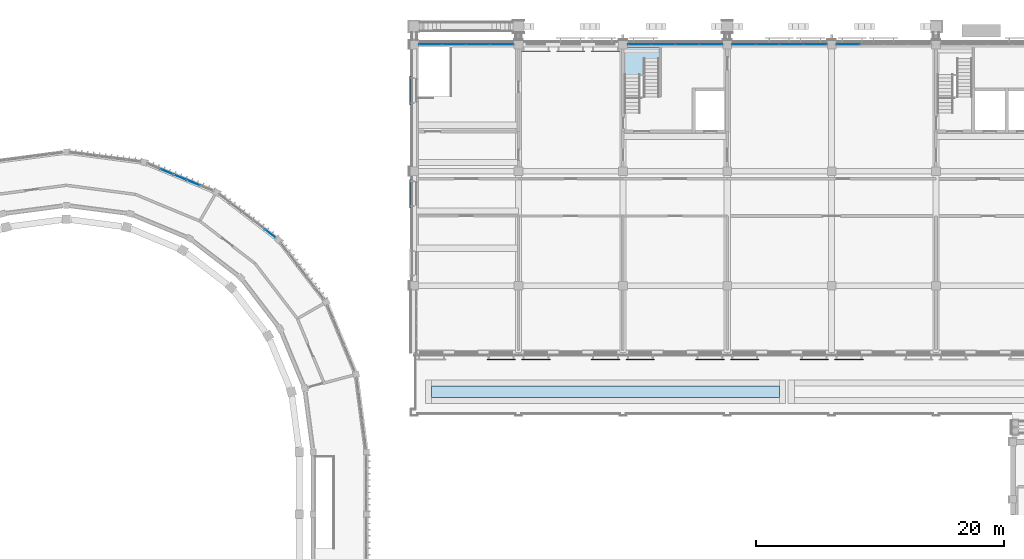
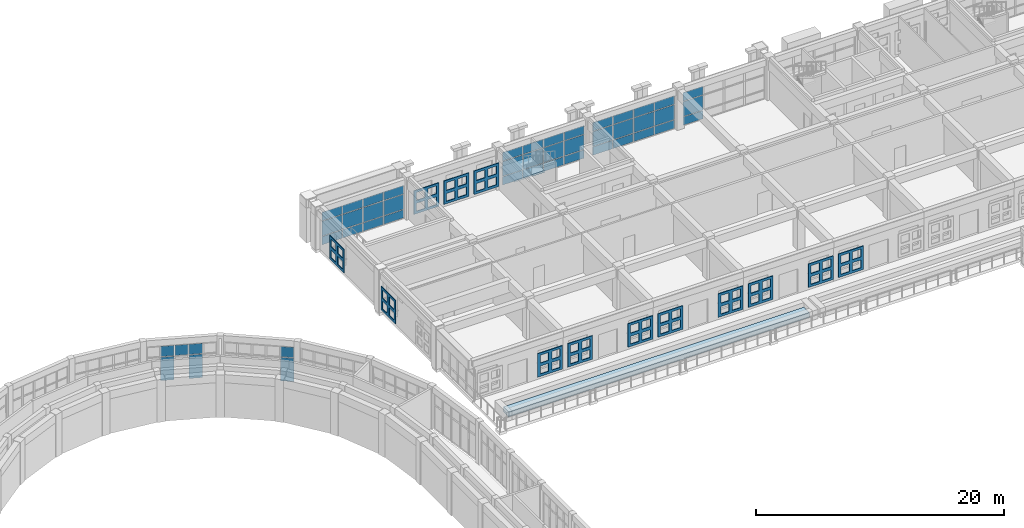
# One storey, part 48 of 99: 59 plates, 2 slabs, 7 elements without a shape of their own.
"""IFC4 building model written with IfcOpenShell, lengths in metres."""

from ifc_helpers import new_model, si_unit, direction, frame, origin, origin_2d, place, context, subcontext, project, spatial, polyline, rectangle, outline, extrude, material, layer, layer_set, material_profile, profile_set, type_object, element, aggregate, save


model = new_model("IFC4")

# Units and contexts
model_context = context("Model", 3, precision=1e-05, world=origin(), true_north=direction((0.0, 1.0)))
body_context = subcontext(model_context, "Body", "Model", "MODEL_VIEW")
ifc_project = project(units=[si_unit("LENGTHUNIT", "METRE"), si_unit("AREAUNIT", "SQUARE_METRE"), si_unit("VOLUMEUNIT", "CUBIC_METRE"), si_unit("PLANEANGLEUNIT", "RADIAN"), si_unit("MASSUNIT", "GRAM", prefix="KILO")], contexts=[model_context])

# Site, building, storey
site_placement = place(None, origin())
site = spatial("IfcSite", under=ifc_project, at=site_placement, CompositionType="ELEMENT")
building_placement = place(site_placement, origin())
building = spatial("IfcBuilding", under=site, at=building_placement, Name="Wasatch Bagh Community Centre", CompositionType="ELEMENT")
storey_placement = place(building_placement, frame((0.0, 0.0, 4.199951171875)))
storey = spatial("IfcBuildingStorey", under=building, at=storey_placement, Name="L01", CompositionType="ELEMENT", Elevation=4.199951171875)

# Curtain wall, plates
ifc_material_1 = material(Name="Aluminium curtain wall frame with low-iron insulated glass", Category="aluminium")
ifc_layer_1 = layer(ifc_material_1, 0.14990234375)
ifc_layer_set_1 = layer_set([ifc_layer_1], Name="Aluminium curtain wall frame with low-iron insulated glass")
curtain_wall_type_1 = type_object("IfcCurtainWallType", Name="Drum curtain wall DR-CW2", PredefinedType="NOTDEFINED", material=ifc_layer_set_1)
curtain_wall_1_placement = place(storey_placement, origin())
curtain_wall_1 = element("IfcCurtainWall", 1, at=curtain_wall_1_placement, inside=storey, type_object=curtain_wall_type_1, Name="Curtain wall DR-CW2 22", PredefinedType="NOTDEFINED")
ifc_material_2 = material(Name="Low-iron insulated glass", Category="glass")
ifc_layer_2 = layer(ifc_material_2, 0.028076171875)
ifc_layer_set_2 = layer_set([ifc_layer_2], Name="Low-iron insulated glass")
plate_type_1 = type_object("IfcPlateType", Name="Drum glass panel DR-CW2", PredefinedType="CURTAIN_PANEL", material=ifc_layer_set_2)
plate_1_placement = place(storey_placement, frame((52.39794921875, 82.597412109375, 0.06005859375), z_axis=(0.0, 0.0, 1.0), x_axis=(-0.793353340196, 0.608761429133, 0.0)))
plate_1 = element("IfcPlate", 2, at=plate_1_placement, type_object=plate_type_1, Name="DR-CW2 panel 1.1", PredefinedType="CURTAIN_PANEL", context=body_context, shape_type="SweptSolid", body=[
    extrude(rectangle(XDim=1.06591796875, YDim=0.028076171875, at=origin_2d()), origin(), (0.0, 0.0, 1.0), 2.31005859375),
])
plate_2_placement = place(storey_placement, frame((52.39794921875, 82.597412109375, 2.43017578125), z_axis=(0.0, 0.0, 1.0), x_axis=(-0.793353340196, 0.608761429133, 0.0)))
plate_2 = element("IfcPlate", 3, at=plate_2_placement, type_object=plate_type_1, Name="DR-CW2 panel 1.2", PredefinedType="CURTAIN_PANEL", context=body_context, shape_type="SweptSolid", body=[
    extrude(rectangle(XDim=1.06591796875, YDim=0.028076171875, at=origin_2d()), origin(), (0.0, 0.0, 1.0), 1.010009765625),
])
aggregate(curtain_wall_1, [plate_1, plate_2])

curtain_wall_2_placement = place(storey_placement, origin())
curtain_wall_2 = element("IfcCurtainWall", 4, at=curtain_wall_2_placement, inside=storey, type_object=curtain_wall_type_1, Name="Curtain wall DR-CW2 23", PredefinedType="NOTDEFINED")
plate_3_placement = place(storey_placement, frame((46.230712890625, 86.678466796875, 0.06005859375), z_axis=(0.0, 0.0, 1.0), x_axis=(-0.923879532451, 0.38268343251, 0.0)))
plate_3 = element("IfcPlate", 5, at=plate_3_placement, type_object=plate_type_1, Name="DR-CW2 panel 2.1", PredefinedType="CURTAIN_PANEL", context=body_context, shape_type="SweptSolid", body=[
    extrude(rectangle(XDim=1.095947265625, YDim=0.028076171875, at=origin_2d()), origin(), (0.0, 0.0, 1.0), 2.31005859375),
])
plate_4_placement = place(storey_placement, frame((46.230712890625, 86.678466796875, 2.43017578125), z_axis=(0.0, 0.0, 1.0), x_axis=(-0.923879532451, 0.38268343251, 0.0)))
plate_4 = element("IfcPlate", 6, at=plate_4_placement, type_object=plate_type_1, Name="DR-CW2 panel 2.2", PredefinedType="CURTAIN_PANEL", context=body_context, shape_type="SweptSolid", body=[
    extrude(rectangle(XDim=1.095947265625, YDim=0.028076171875, at=origin_2d()), origin(), (0.0, 0.0, 1.0), 1.010009765625),
])
plate_5_placement = place(storey_placement, frame((45.162841796875, 87.120849609375, 2.43017578125), z_axis=(0.0, 0.0, 1.0), x_axis=(-0.923879532451, 0.38268343251, 0.0)))
plate_5 = element("IfcPlate", 7, at=plate_5_placement, type_object=plate_type_1, Name="DR-CW2 panel 3.2", PredefinedType="CURTAIN_PANEL", context=body_context, shape_type="SweptSolid", body=[
    extrude(rectangle(XDim=1.095947265625, YDim=0.028076171875, at=origin_2d()), origin(), (0.0, 0.0, 1.0), 1.010009765625),
])
plate_6_placement = place(storey_placement, frame((44.094970703125, 87.563232421875, 0.06005859375), z_axis=(0.0, 0.0, 1.0), x_axis=(-0.923879532451, 0.38268343251, 0.0)))
plate_6 = element("IfcPlate", 8, at=plate_6_placement, type_object=plate_type_1, Name="DR-CW2 panel 4.1", PredefinedType="CURTAIN_PANEL", context=body_context, shape_type="SweptSolid", body=[
    extrude(rectangle(XDim=1.095947265625, YDim=0.028076171875, at=origin_2d()), origin(), (0.0, 0.0, 1.0), 2.31005859375),
])
plate_7_placement = place(storey_placement, frame((44.094970703125, 87.563232421875, 2.43017578125), z_axis=(0.0, 0.0, 1.0), x_axis=(-0.923879532451, 0.38268343251, 0.0)))
plate_7 = element("IfcPlate", 9, at=plate_7_placement, type_object=plate_type_1, Name="DR-CW2 panel 4.2", PredefinedType="CURTAIN_PANEL", context=body_context, shape_type="SweptSolid", body=[
    extrude(rectangle(XDim=1.095947265625, YDim=0.028076171875, at=origin_2d()), origin(), (0.0, 0.0, 1.0), 1.010009765625),
])
aggregate(curtain_wall_2, [plate_3, plate_4, plate_5, plate_6, plate_7])

ifc_material_3 = material(Name="Aluminium curtain wall frame with low-iron glass", Category="aluminium")
ifc_layer_3 = layer(ifc_material_3, 0.10009765625)
ifc_layer_set_3 = layer_set([ifc_layer_3], Name="Aluminium curtain wall frame with low-iron glass")
curtain_wall_type_2 = type_object("IfcCurtainWallType", Name="LW curtain wall 100", PredefinedType="NOTDEFINED", material=ifc_layer_set_3)
curtain_wall_3_placement = place(storey_placement, origin())
curtain_wall_3 = element("IfcCurtainWall", 10, at=curtain_wall_3_placement, inside=storey, type_object=curtain_wall_type_2, Name="Curtain wall 01.01", PredefinedType="NOTDEFINED")
ifc_layer_4 = layer(ifc_material_2, 0.028076171875)
ifc_layer_set_4 = layer_set([ifc_layer_4], Name="Low-iron insulated glass")
plate_type_2 = type_object("IfcPlateType", Name="LW curtain wall panel 28", PredefinedType="CURTAIN_PANEL", material=ifc_layer_set_4)
plate_8_placement = place(storey_placement, frame((65.327392578125, 97.800048828125, 0.06005859375), z_axis=(0.0, 0.0, 1.0), x_axis=(1.0, 0.0, 0.0)))
plate_8 = element("IfcPlate", 11, at=plate_8_placement, type_object=plate_type_2, Name="LW-CW1 panel 1.1", PredefinedType="CURTAIN_PANEL", context=body_context, shape_type="SweptSolid", body=[
    extrude(rectangle(XDim=1.8349609375, YDim=0.028076171875, at=origin_2d()), origin(), (0.0, 0.0, 1.0), 0.81005859375),
])
plate_9_placement = place(storey_placement, frame((65.327392578125, 97.800048828125, 0.93017578125), z_axis=(0.0, 0.0, 1.0), x_axis=(1.0, 0.0, 0.0)))
plate_9 = element("IfcPlate", 12, at=plate_9_placement, type_object=plate_type_2, Name="LW-CW1 panel 1.2", PredefinedType="CURTAIN_PANEL", context=body_context, shape_type="SweptSolid", body=[
    extrude(rectangle(XDim=1.8349609375, YDim=0.028076171875, at=origin_2d()), origin(), (0.0, 0.0, 1.0), 1.43994140625),
])
plate_10_placement = place(storey_placement, frame((65.327392578125, 97.800048828125, 2.429931640625), z_axis=(0.0, 0.0, 1.0), x_axis=(1.0, 0.0, 0.0)))
plate_10 = element("IfcPlate", 13, at=plate_10_placement, type_object=plate_type_2, Name="LW-CW1 panel 1.3", PredefinedType="CURTAIN_PANEL", context=body_context, shape_type="SweptSolid", body=[
    extrude(rectangle(XDim=1.8349609375, YDim=0.028076171875, at=origin_2d()), origin(), (0.0, 0.0, 1.0), 0.830078125),
])
plate_11_placement = place(storey_placement, frame((67.237548828125, 97.800048828125, 0.06005859375), z_axis=(0.0, 0.0, 1.0), x_axis=(1.0, 0.0, 0.0)))
plate_11 = element("IfcPlate", 14, at=plate_11_placement, type_object=plate_type_2, Name="LW-CW1 panel 2.1", PredefinedType="CURTAIN_PANEL", context=body_context, shape_type="SweptSolid", body=[
    extrude(rectangle(XDim=1.864990234375, YDim=0.028076171875, at=origin_2d()), origin(), (0.0, 0.0, 1.0), 0.81005859375),
])
plate_12_placement = place(storey_placement, frame((67.237548828125, 97.800048828125, 0.93017578125), z_axis=(0.0, 0.0, 1.0), x_axis=(1.0, 0.0, 0.0)))
plate_12 = element("IfcPlate", 15, at=plate_12_placement, type_object=plate_type_2, Name="LW-CW1 panel 2.2", PredefinedType="CURTAIN_PANEL", context=body_context, shape_type="SweptSolid", body=[
    extrude(rectangle(XDim=1.864990234375, YDim=0.028076171875, at=origin_2d()), origin(), (0.0, 0.0, 1.0), 1.43994140625),
])
plate_13_placement = place(storey_placement, frame((67.237548828125, 97.800048828125, 2.429931640625), z_axis=(0.0, 0.0, 1.0), x_axis=(1.0, 0.0, 0.0)))
plate_13 = element("IfcPlate", 16, at=plate_13_placement, type_object=plate_type_2, Name="LW-CW1 panel 2.3", PredefinedType="CURTAIN_PANEL", context=body_context, shape_type="SweptSolid", body=[
    extrude(rectangle(XDim=1.864990234375, YDim=0.028076171875, at=origin_2d()), origin(), (0.0, 0.0, 1.0), 0.830078125),
])
plate_14_placement = place(storey_placement, frame((69.16259765625, 97.800048828125, 0.06005859375), z_axis=(0.0, 0.0, 1.0), x_axis=(1.0, 0.0, 0.0)))
plate_14 = element("IfcPlate", 17, at=plate_14_placement, type_object=plate_type_2, Name="LW-CW1 panel 3.1", PredefinedType="CURTAIN_PANEL", context=body_context, shape_type="SweptSolid", body=[
    extrude(rectangle(XDim=1.864990234375, YDim=0.028076171875, at=origin_2d()), origin(), (0.0, 0.0, 1.0), 0.81005859375),
])
plate_15_placement = place(storey_placement, frame((69.16259765625, 97.800048828125, 0.93017578125), z_axis=(0.0, 0.0, 1.0), x_axis=(1.0, 0.0, 0.0)))
plate_15 = element("IfcPlate", 18, at=plate_15_placement, type_object=plate_type_2, Name="LW-CW1 panel 3.2", PredefinedType="CURTAIN_PANEL", context=body_context, shape_type="SweptSolid", body=[
    extrude(rectangle(XDim=1.864990234375, YDim=0.028076171875, at=origin_2d()), origin(), (0.0, 0.0, 1.0), 1.43994140625),
])
plate_16_placement = place(storey_placement, frame((69.16259765625, 97.800048828125, 2.429931640625), z_axis=(0.0, 0.0, 1.0), x_axis=(1.0, 0.0, 0.0)))
plate_16 = element("IfcPlate", 19, at=plate_16_placement, type_object=plate_type_2, Name="LW-CW1 panel 3.3", PredefinedType="CURTAIN_PANEL", context=body_context, shape_type="SweptSolid", body=[
    extrude(rectangle(XDim=1.864990234375, YDim=0.028076171875, at=origin_2d()), origin(), (0.0, 0.0, 1.0), 0.830078125),
])
plate_17_placement = place(storey_placement, frame((71.072509765625, 97.800048828125, 0.06005859375), z_axis=(0.0, 0.0, 1.0), x_axis=(1.0, 0.0, 0.0)))
plate_17 = element("IfcPlate", 20, at=plate_17_placement, type_object=plate_type_2, Name="LW-CW1 panel 4.1", PredefinedType="CURTAIN_PANEL", context=body_context, shape_type="SweptSolid", body=[
    extrude(rectangle(XDim=1.8349609375, YDim=0.028076171875, at=origin_2d()), origin(), (0.0, 0.0, 1.0), 0.81005859375),
])
plate_18_placement = place(storey_placement, frame((71.072509765625, 97.800048828125, 0.93017578125), z_axis=(0.0, 0.0, 1.0), x_axis=(1.0, 0.0, 0.0)))
plate_18 = element("IfcPlate", 21, at=plate_18_placement, type_object=plate_type_2, Name="LW-CW1 panel 4.2", PredefinedType="CURTAIN_PANEL", context=body_context, shape_type="SweptSolid", body=[
    extrude(rectangle(XDim=1.8349609375, YDim=0.028076171875, at=origin_2d()), origin(), (0.0, 0.0, 1.0), 1.43994140625),
])
plate_19_placement = place(storey_placement, frame((71.072509765625, 97.800048828125, 2.429931640625), z_axis=(0.0, 0.0, 1.0), x_axis=(1.0, 0.0, 0.0)))
plate_19 = element("IfcPlate", 22, at=plate_19_placement, type_object=plate_type_2, Name="LW-CW1 panel 4.3", PredefinedType="CURTAIN_PANEL", context=body_context, shape_type="SweptSolid", body=[
    extrude(rectangle(XDim=1.8349609375, YDim=0.028076171875, at=origin_2d()), origin(), (0.0, 0.0, 1.0), 0.830078125),
])
aggregate(curtain_wall_3, [plate_8, plate_9, plate_10, plate_11, plate_12, plate_13, plate_14, plate_15, plate_16, plate_17, plate_18, plate_19])

curtain_wall_4_placement = place(storey_placement, origin())
curtain_wall_4 = element("IfcCurtainWall", 23, at=curtain_wall_4_placement, inside=storey, type_object=curtain_wall_type_2, Name="Curtain wall 01.02", PredefinedType="NOTDEFINED")
plate_20_placement = place(storey_placement, frame((82.12744140625, 97.800048828125, 0.06005859375), z_axis=(0.0, 0.0, 1.0), x_axis=(1.0, 0.0, 0.0)))
plate_20 = element("IfcPlate", 24, at=plate_20_placement, type_object=plate_type_2, Name="LW-CW1 panel 1.1", PredefinedType="CURTAIN_PANEL", context=body_context, shape_type="SweptSolid", body=[
    extrude(rectangle(XDim=1.8349609375, YDim=0.028076171875, at=origin_2d()), origin(), (0.0, 0.0, 1.0), 0.81005859375),
])
plate_21_placement = place(storey_placement, frame((82.12744140625, 97.800048828125, 0.93017578125), z_axis=(0.0, 0.0, 1.0), x_axis=(1.0, 0.0, 0.0)))
plate_21 = element("IfcPlate", 25, at=plate_21_placement, type_object=plate_type_2, Name="LW-CW1 panel 1.2", PredefinedType="CURTAIN_PANEL", context=body_context, shape_type="SweptSolid", body=[
    extrude(rectangle(XDim=1.8349609375, YDim=0.028076171875, at=origin_2d()), origin(), (0.0, 0.0, 1.0), 1.43994140625),
])
plate_22_placement = place(storey_placement, frame((82.12744140625, 97.800048828125, 2.429931640625), z_axis=(0.0, 0.0, 1.0), x_axis=(1.0, 0.0, 0.0)))
plate_22 = element("IfcPlate", 26, at=plate_22_placement, type_object=plate_type_2, Name="LW-CW1 panel 1.3", PredefinedType="CURTAIN_PANEL", context=body_context, shape_type="SweptSolid", body=[
    extrude(rectangle(XDim=1.8349609375, YDim=0.028076171875, at=origin_2d()), origin(), (0.0, 0.0, 1.0), 0.830078125),
])
plate_23_placement = place(storey_placement, frame((84.03759765625, 97.800048828125, 0.06005859375), z_axis=(0.0, 0.0, 1.0), x_axis=(1.0, 0.0, 0.0)))
plate_23 = element("IfcPlate", 27, at=plate_23_placement, type_object=plate_type_2, Name="LW-CW1 panel 2.1", PredefinedType="CURTAIN_PANEL", context=body_context, shape_type="SweptSolid", body=[
    extrude(rectangle(XDim=1.864990234375, YDim=0.028076171875, at=origin_2d()), origin(), (0.0, 0.0, 1.0), 0.81005859375),
])
plate_24_placement = place(storey_placement, frame((84.03759765625, 97.800048828125, 0.93017578125), z_axis=(0.0, 0.0, 1.0), x_axis=(1.0, 0.0, 0.0)))
plate_24 = element("IfcPlate", 28, at=plate_24_placement, type_object=plate_type_2, Name="LW-CW1 panel 2.2", PredefinedType="CURTAIN_PANEL", context=body_context, shape_type="SweptSolid", body=[
    extrude(rectangle(XDim=1.864990234375, YDim=0.028076171875, at=origin_2d()), origin(), (0.0, 0.0, 1.0), 1.43994140625),
])
plate_25_placement = place(storey_placement, frame((84.03759765625, 97.800048828125, 2.429931640625), z_axis=(0.0, 0.0, 1.0), x_axis=(1.0, 0.0, 0.0)))
plate_25 = element("IfcPlate", 29, at=plate_25_placement, type_object=plate_type_2, Name="LW-CW1 panel 2.3", PredefinedType="CURTAIN_PANEL", context=body_context, shape_type="SweptSolid", body=[
    extrude(rectangle(XDim=1.864990234375, YDim=0.028076171875, at=origin_2d()), origin(), (0.0, 0.0, 1.0), 0.830078125),
])
plate_26_placement = place(storey_placement, frame((85.96240234375, 97.800048828125, 0.06005859375), z_axis=(0.0, 0.0, 1.0), x_axis=(1.0, 0.0, 0.0)))
plate_26 = element("IfcPlate", 30, at=plate_26_placement, type_object=plate_type_2, Name="LW-CW1 panel 3.1", PredefinedType="CURTAIN_PANEL", context=body_context, shape_type="SweptSolid", body=[
    extrude(rectangle(XDim=1.864990234375, YDim=0.028076171875, at=origin_2d()), origin(), (0.0, 0.0, 1.0), 0.81005859375),
])
plate_27_placement = place(storey_placement, frame((85.96240234375, 97.800048828125, 0.93017578125), z_axis=(0.0, 0.0, 1.0), x_axis=(1.0, 0.0, 0.0)))
plate_27 = element("IfcPlate", 31, at=plate_27_placement, type_object=plate_type_2, Name="LW-CW1 panel 3.2", PredefinedType="CURTAIN_PANEL", context=body_context, shape_type="SweptSolid", body=[
    extrude(rectangle(XDim=1.864990234375, YDim=0.028076171875, at=origin_2d()), origin(), (0.0, 0.0, 1.0), 1.43994140625),
])
plate_28_placement = place(storey_placement, frame((85.96240234375, 97.800048828125, 2.429931640625), z_axis=(0.0, 0.0, 1.0), x_axis=(1.0, 0.0, 0.0)))
plate_28 = element("IfcPlate", 32, at=plate_28_placement, type_object=plate_type_2, Name="LW-CW1 panel 3.3", PredefinedType="CURTAIN_PANEL", context=body_context, shape_type="SweptSolid", body=[
    extrude(rectangle(XDim=1.864990234375, YDim=0.028076171875, at=origin_2d()), origin(), (0.0, 0.0, 1.0), 0.830078125),
])
plate_29_placement = place(storey_placement, frame((87.87255859375, 97.800048828125, 0.06005859375), z_axis=(0.0, 0.0, 1.0), x_axis=(1.0, 0.0, 0.0)))
plate_29 = element("IfcPlate", 33, at=plate_29_placement, type_object=plate_type_2, Name="LW-CW1 panel 4.1", PredefinedType="CURTAIN_PANEL", context=body_context, shape_type="SweptSolid", body=[
    extrude(rectangle(XDim=1.8349609375, YDim=0.028076171875, at=origin_2d()), origin(), (0.0, 0.0, 1.0), 0.81005859375),
])
plate_30_placement = place(storey_placement, frame((87.87255859375, 97.800048828125, 0.93017578125), z_axis=(0.0, 0.0, 1.0), x_axis=(1.0, 0.0, 0.0)))
plate_30 = element("IfcPlate", 34, at=plate_30_placement, type_object=plate_type_2, Name="LW-CW1 panel 4.2", PredefinedType="CURTAIN_PANEL", context=body_context, shape_type="SweptSolid", body=[
    extrude(rectangle(XDim=1.8349609375, YDim=0.028076171875, at=origin_2d()), origin(), (0.0, 0.0, 1.0), 1.43994140625),
])
plate_31_placement = place(storey_placement, frame((87.87255859375, 97.800048828125, 2.429931640625), z_axis=(0.0, 0.0, 1.0), x_axis=(1.0, 0.0, 0.0)))
plate_31 = element("IfcPlate", 35, at=plate_31_placement, type_object=plate_type_2, Name="LW-CW1 panel 4.3", PredefinedType="CURTAIN_PANEL", context=body_context, shape_type="SweptSolid", body=[
    extrude(rectangle(XDim=1.8349609375, YDim=0.028076171875, at=origin_2d()), origin(), (0.0, 0.0, 1.0), 0.830078125),
])
aggregate(curtain_wall_4, [plate_20, plate_21, plate_22, plate_23, plate_24, plate_25, plate_26, plate_27, plate_28, plate_29, plate_30, plate_31])

ifc_layer_5 = layer(ifc_material_3, 0.1201171875)
ifc_layer_set_5 = layer_set([ifc_layer_5], Name="Aluminium curtain wall frame with low-iron glass")
curtain_wall_type_3 = type_object("IfcCurtainWallType", Name="LW study front curtain wall 120", PredefinedType="NOTDEFINED", material=ifc_layer_set_5)
curtain_wall_5_placement = place(storey_placement, origin())
curtain_wall_5 = element("IfcCurtainWall", 36, at=curtain_wall_5_placement, inside=storey, type_object=curtain_wall_type_3, Name="Curtain wall 01.03", PredefinedType="NOTDEFINED")
ifc_layer_6 = layer(ifc_material_2, 0.028076171875)
ifc_layer_set_6 = layer_set([ifc_layer_6], Name="Low-iron insulated glass")
plate_type_3 = type_object("IfcPlateType", Name="LW curtain wall panel 28 LW-CW2", PredefinedType="CURTAIN_PANEL", material=ifc_layer_set_6)
plate_32_placement = place(storey_placement, frame((90.527587890625, 97.800048828125, 0.06005859375), z_axis=(0.0, 0.0, 1.0), x_axis=(1.0, 0.0, 0.0)))
plate_32 = element("IfcPlate", 37, at=plate_32_placement, type_object=plate_type_3, Name="LW-CW2 panel 1.1", PredefinedType="CURTAIN_PANEL", context=body_context, shape_type="SweptSolid", body=[
    extrude(rectangle(XDim=1.8349609375, YDim=0.028076171875, at=origin_2d()), origin(), (0.0, 0.0, 1.0), 0.81005859375),
])
plate_33_placement = place(storey_placement, frame((90.527587890625, 97.800048828125, 0.93017578125), z_axis=(0.0, 0.0, 1.0), x_axis=(1.0, 0.0, 0.0)))
plate_33 = element("IfcPlate", 38, at=plate_33_placement, type_object=plate_type_3, Name="LW-CW2 panel 1.2", PredefinedType="CURTAIN_PANEL", context=body_context, shape_type="SweptSolid", body=[
    extrude(rectangle(XDim=1.8349609375, YDim=0.028076171875, at=origin_2d()), origin(), (0.0, 0.0, 1.0), 1.43994140625),
])
plate_34_placement = place(storey_placement, frame((90.527587890625, 97.800048828125, 2.429931640625), z_axis=(0.0, 0.0, 1.0), x_axis=(1.0, 0.0, 0.0)))
plate_34 = element("IfcPlate", 39, at=plate_34_placement, type_object=plate_type_3, Name="LW-CW2 panel 1.3", PredefinedType="CURTAIN_PANEL", context=body_context, shape_type="SweptSolid", body=[
    extrude(rectangle(XDim=1.8349609375, YDim=0.028076171875, at=origin_2d()), origin(), (0.0, 0.0, 1.0), 0.830078125),
])
plate_35_placement = place(storey_placement, frame((92.4375, 97.800048828125, 0.06005859375), z_axis=(0.0, 0.0, 1.0), x_axis=(1.0, 0.0, 0.0)))
plate_35 = element("IfcPlate", 40, at=plate_35_placement, type_object=plate_type_3, Name="LW-CW2 panel 2.1", PredefinedType="CURTAIN_PANEL", context=body_context, shape_type="SweptSolid", body=[
    extrude(rectangle(XDim=1.864990234375, YDim=0.028076171875, at=origin_2d()), origin(), (0.0, 0.0, 1.0), 0.81005859375),
])
plate_36_placement = place(storey_placement, frame((92.4375, 97.800048828125, 0.93017578125), z_axis=(0.0, 0.0, 1.0), x_axis=(1.0, 0.0, 0.0)))
plate_36 = element("IfcPlate", 41, at=plate_36_placement, type_object=plate_type_3, Name="LW-CW2 panel 2.2", PredefinedType="CURTAIN_PANEL", context=body_context, shape_type="SweptSolid", body=[
    extrude(rectangle(XDim=1.864990234375, YDim=0.028076171875, at=origin_2d()), origin(), (0.0, 0.0, 1.0), 1.43994140625),
])
plate_37_placement = place(storey_placement, frame((92.4375, 97.800048828125, 2.429931640625), z_axis=(0.0, 0.0, 1.0), x_axis=(1.0, 0.0, 0.0)))
plate_37 = element("IfcPlate", 42, at=plate_37_placement, type_object=plate_type_3, Name="LW-CW2 panel 2.3", PredefinedType="CURTAIN_PANEL", context=body_context, shape_type="SweptSolid", body=[
    extrude(rectangle(XDim=1.864990234375, YDim=0.028076171875, at=origin_2d()), origin(), (0.0, 0.0, 1.0), 0.830078125),
])
plate_38_placement = place(storey_placement, frame((94.362548828125, 97.800048828125, 0.06005859375), z_axis=(0.0, 0.0, 1.0), x_axis=(1.0, 0.0, 0.0)))
plate_38 = element("IfcPlate", 43, at=plate_38_placement, type_object=plate_type_3, Name="LW-CW2 panel 3.1", PredefinedType="CURTAIN_PANEL", context=body_context, shape_type="SweptSolid", body=[
    extrude(rectangle(XDim=1.864990234375, YDim=0.028076171875, at=origin_2d()), origin(), (0.0, 0.0, 1.0), 0.81005859375),
])
plate_39_placement = place(storey_placement, frame((94.362548828125, 97.800048828125, 0.93017578125), z_axis=(0.0, 0.0, 1.0), x_axis=(1.0, 0.0, 0.0)))
plate_39 = element("IfcPlate", 44, at=plate_39_placement, type_object=plate_type_3, Name="LW-CW2 panel 3.2", PredefinedType="CURTAIN_PANEL", context=body_context, shape_type="SweptSolid", body=[
    extrude(rectangle(XDim=1.864990234375, YDim=0.028076171875, at=origin_2d()), origin(), (0.0, 0.0, 1.0), 1.43994140625),
])
plate_40_placement = place(storey_placement, frame((94.362548828125, 97.800048828125, 2.429931640625), z_axis=(0.0, 0.0, 1.0), x_axis=(1.0, 0.0, 0.0)))
plate_40 = element("IfcPlate", 45, at=plate_40_placement, type_object=plate_type_3, Name="LW-CW2 panel 3.3", PredefinedType="CURTAIN_PANEL", context=body_context, shape_type="SweptSolid", body=[
    extrude(rectangle(XDim=1.864990234375, YDim=0.028076171875, at=origin_2d()), origin(), (0.0, 0.0, 1.0), 0.830078125),
])
plate_41_placement = place(storey_placement, frame((96.2724609375, 97.800048828125, 0.06005859375), z_axis=(0.0, 0.0, 1.0), x_axis=(1.0, 0.0, 0.0)))
plate_41 = element("IfcPlate", 46, at=plate_41_placement, type_object=plate_type_3, Name="LW-CW2 panel 4.1", PredefinedType="CURTAIN_PANEL", context=body_context, shape_type="SweptSolid", body=[
    extrude(rectangle(XDim=1.8349609375, YDim=0.028076171875, at=origin_2d()), origin(), (0.0, 0.0, 1.0), 0.81005859375),
])
plate_42_placement = place(storey_placement, frame((96.2724609375, 97.800048828125, 0.93017578125), z_axis=(0.0, 0.0, 1.0), x_axis=(1.0, 0.0, 0.0)))
plate_42 = element("IfcPlate", 47, at=plate_42_placement, type_object=plate_type_3, Name="LW-CW2 panel 4.2", PredefinedType="CURTAIN_PANEL", context=body_context, shape_type="SweptSolid", body=[
    extrude(rectangle(XDim=1.8349609375, YDim=0.028076171875, at=origin_2d()), origin(), (0.0, 0.0, 1.0), 1.43994140625),
])
plate_43_placement = place(storey_placement, frame((96.2724609375, 97.800048828125, 2.429931640625), z_axis=(0.0, 0.0, 1.0), x_axis=(1.0, 0.0, 0.0)))
plate_43 = element("IfcPlate", 48, at=plate_43_placement, type_object=plate_type_3, Name="LW-CW2 panel 4.3", PredefinedType="CURTAIN_PANEL", context=body_context, shape_type="SweptSolid", body=[
    extrude(rectangle(XDim=1.8349609375, YDim=0.028076171875, at=origin_2d()), origin(), (0.0, 0.0, 1.0), 0.830078125),
])
aggregate(curtain_wall_5, [plate_32, plate_33, plate_34, plate_35, plate_36, plate_37, plate_38, plate_39, plate_40, plate_41, plate_42, plate_43])

curtain_wall_6_placement = place(storey_placement, origin())
curtain_wall_6 = element("IfcCurtainWall", 49, at=curtain_wall_6_placement, inside=storey, type_object=curtain_wall_type_3, Name="Curtain wall 01.04", PredefinedType="NOTDEFINED")
plate_44_placement = place(storey_placement, frame((98.927490234375, 97.800048828125, 0.06005859375), z_axis=(0.0, 0.0, 1.0), x_axis=(1.0, 0.0, 0.0)))
plate_44 = element("IfcPlate", 50, at=plate_44_placement, type_object=plate_type_3, Name="LW-CW2 panel 1.1", PredefinedType="CURTAIN_PANEL", context=body_context, shape_type="SweptSolid", body=[
    extrude(rectangle(XDim=1.8349609375, YDim=0.028076171875, at=origin_2d()), origin(), (0.0, 0.0, 1.0), 0.81005859375),
])
plate_45_placement = place(storey_placement, frame((98.927490234375, 97.800048828125, 0.93017578125), z_axis=(0.0, 0.0, 1.0), x_axis=(1.0, 0.0, 0.0)))
plate_45 = element("IfcPlate", 51, at=plate_45_placement, type_object=plate_type_3, Name="LW-CW2 panel 1.2", PredefinedType="CURTAIN_PANEL", context=body_context, shape_type="SweptSolid", body=[
    extrude(rectangle(XDim=1.8349609375, YDim=0.028076171875, at=origin_2d()), origin(), (0.0, 0.0, 1.0), 1.43994140625),
])
plate_46_placement = place(storey_placement, frame((98.927490234375, 97.800048828125, 2.429931640625), z_axis=(0.0, 0.0, 1.0), x_axis=(1.0, 0.0, 0.0)))
plate_46 = element("IfcPlate", 52, at=plate_46_placement, type_object=plate_type_3, Name="LW-CW2 panel 1.3", PredefinedType="CURTAIN_PANEL", context=body_context, shape_type="SweptSolid", body=[
    extrude(rectangle(XDim=1.8349609375, YDim=0.028076171875, at=origin_2d()), origin(), (0.0, 0.0, 1.0), 0.830078125),
])
aggregate(curtain_wall_6, [plate_44, plate_45, plate_46])

# Plates
ifc_material_4 = material(Name="Precast concrete C40/50", Category="concrete")
ifc_material_profile = material_profile(ifc_material_4, outline(polyline([(-1.159912109375, -1.159912109375), (1.159912109375, -1.159912109375), (1.159912109375, 1.159912109375), (-1.159912109375, 1.159912109375), (-1.159912109375, -1.159912109375)]), holes=[polyline([(-0.919921875, -0.919921875), (-0.14990234375, -0.919921875), (-0.14990234375, -0.14990234375), (-0.919921875, -0.14990234375), (-0.919921875, -0.919921875)]), polyline([(-0.919921875, 0.14990234375), (-0.14990234375, 0.14990234375), (-0.14990234375, 0.919921875), (-0.919921875, 0.919921875), (-0.919921875, 0.14990234375)]), polyline([(0.14990234375, -0.919921875), (0.919921875, -0.919921875), (0.919921875, -0.14990234375), (0.14990234375, -0.14990234375), (0.14990234375, -0.919921875)]), polyline([(0.14990234375, 0.14990234375), (0.919921875, 0.14990234375), (0.919921875, 0.919921875), (0.14990234375, 0.919921875), (0.14990234375, 0.14990234375)])]), Name="Jali lattice")
ifc_profile_set = profile_set([ifc_material_profile], Name="Precast concrete C40/50")
plate_type_4 = type_object("IfcPlateType", Name="LW jali panel 2320x2320", PredefinedType="SHEET", material=ifc_profile_set)
for number, where, z_axis, x_axis, name in (
    (53, (71.0, 72.5, 1.66015625), (0.0, -1.0, 0.0), (1.0, 0.0, 0.0), "Jali panel"),
    (54, (73.800048828125, 72.5, 1.66015625), (0.0, -1.0, 0.0), (1.0, 0.0, 0.0), "Jali panel"),
    (55, (79.39990234375, 72.5, 1.66015625), (0.0, -1.0, 0.0), (1.0, 0.0, 0.0), "Jali panel"),
    (56, (82.199951171875, 72.5, 1.66015625), (0.0, -1.0, 0.0), (1.0, 0.0, 0.0), "Jali panel"),
    (57, (87.800048828125, 72.5, 1.66015625), (0.0, -1.0, 0.0), (1.0, 0.0, 0.0), "Jali panel"),
    (58, (90.60009765625, 72.5, 1.66015625), (0.0, -1.0, 0.0), (1.0, 0.0, 0.0), "Jali panel"),
    (59, (96.199951171875, 72.5, 1.66015625), (0.0, -1.0, 0.0), (1.0, 0.0, 0.0), "Jali panel"),
    (60, (99.0, 72.5, 1.66015625), (0.0, -1.0, 0.0), (1.0, 0.0, 0.0), "Jali panel"),
    (61, (73.800048828125, 97.300048828125, 1.66015625), (0.0, -1.0, 0.0), (1.0, 0.0, 0.0), "Jali panel"),
    (62, (76.60009765625, 97.300048828125, 1.66015625), (0.0, -1.0, 0.0), (1.0, 0.0, 0.0), "Jali panel"),
    (63, (79.39990234375, 97.300048828125, 1.66015625), (0.0, -1.0, 0.0), (1.0, 0.0, 0.0), "Jali panel"),
    (64, (63.699951171875, 85.800048828125, 1.66015625), (-1.0, 0.0, 0.0), (0.0, -1.0, 0.0), "Jali panel"),
    (65, (63.699951171875, 94.10009765625, 1.66015625), (-1.0, 0.0, 0.0), (0.0, -1.0, 0.0), "Jali panel"),
):
    element("IfcPlate", number, at=place(storey_placement, frame(where, z_axis=z_axis, x_axis=x_axis)), inside=storey, type_object=plate_type_4, Name=name, PredefinedType="SHEET", context=body_context, shape_type="SweptSolid", body=[
        extrude(outline(polyline([(-1.159912109375, -1.159912109375), (1.159912109375, -1.159912109375), (1.159912109375, 1.159912109375), (-1.159912109375, 1.159912109375), (-1.159912109375, -1.159912109375)]), holes=[polyline([(-0.919921875, -0.919921875), (-0.14990234375, -0.919921875), (-0.14990234375, -0.14990234375), (-0.919921875, -0.14990234375), (-0.919921875, -0.919921875)]), polyline([(-0.919921875, 0.14990234375), (-0.14990234375, 0.14990234375), (-0.14990234375, 0.919921875), (-0.919921875, 0.919921875), (-0.919921875, 0.14990234375)]), polyline([(0.14990234375, -0.919921875), (0.919921875, -0.919921875), (0.919921875, -0.14990234375), (0.14990234375, -0.14990234375), (0.14990234375, -0.919921875)]), polyline([(0.14990234375, 0.14990234375), (0.919921875, 0.14990234375), (0.919921875, 0.919921875), (0.14990234375, 0.919921875), (0.14990234375, 0.14990234375)])]), origin(), (0.0, 0.0, 1.0), 0.070068359375),
    ])

# Slab
ifc_material_5 = material(Name="Planting soil over Concrete C30", Category="concrete")
ifc_layer_7 = layer(ifc_material_5, 0.449951171875)
ifc_layer_set_7 = layer_set([ifc_layer_7], Name="Planting soil over Concrete C30")
slab_type_1 = type_object("IfcSlabType", Name="LW planting bed 450", PredefinedType="FLOOR", material=ifc_layer_set_7)
slab_1_placement = place(storey_placement, origin())
element("IfcSlab", 66, at=slab_1_placement, inside=storey, type_object=slab_type_1, Name="Planting bed T1 (groundcover and shrubs)", PredefinedType="FLOOR", context=body_context, shape_type="SweptSolid", body=[
    extrude(outline(polyline([(65.39990234375, 69.39990234375), (93.39990234375, 69.39990234375), (93.39990234375, 70.300048828125), (65.39990234375, 70.300048828125), (65.39990234375, 69.39990234375)])), origin(), (0.0, 0.0, 1.0), 0.449951171875),
])

# Stair, slab
ifc_material_6 = material(Name="Concrete C35", Category="concrete")
stair_type = type_object("IfcStairType", Name="LW core stair", PredefinedType="HALF_TURN_STAIR", material=ifc_material_6)
stair_placement = place(storey_placement, origin())
stair = element("IfcStair", 67, at=stair_placement, inside=storey, type_object=stair_type, Name="Stair Stair and Lift C1", PredefinedType="HALF_TURN_STAIR")
ifc_layer_8 = layer(ifc_material_6, 0.199951171875)
ifc_layer_set_8 = layer_set([ifc_layer_8], Name="Concrete C35")
slab_type_2 = type_object("IfcSlabType", Name="LW stair landing 200", PredefinedType="LANDING", material=ifc_layer_set_8)
slab_2_placement = place(storey_placement, frame((0.0, 0.0, 1.900146484375)))
slab_2 = element("IfcSlab", 68, at=slab_2_placement, type_object=slab_type_2, Name="ST-C1-1 landing 1", PredefinedType="LANDING", context=body_context, shape_type="SweptSolid", body=[
    extrude(outline(polyline([(80.925048828125, 95.360107421875), (83.735107421875, 95.360107421875), (83.735107421875, 97.60009765625), (80.925048828125, 97.60009765625), (80.925048828125, 95.360107421875)])), origin(), (0.0, 0.0, 1.0), 0.199951171875),
])
aggregate(stair, [slab_2])

save(model, "model.ifc")
